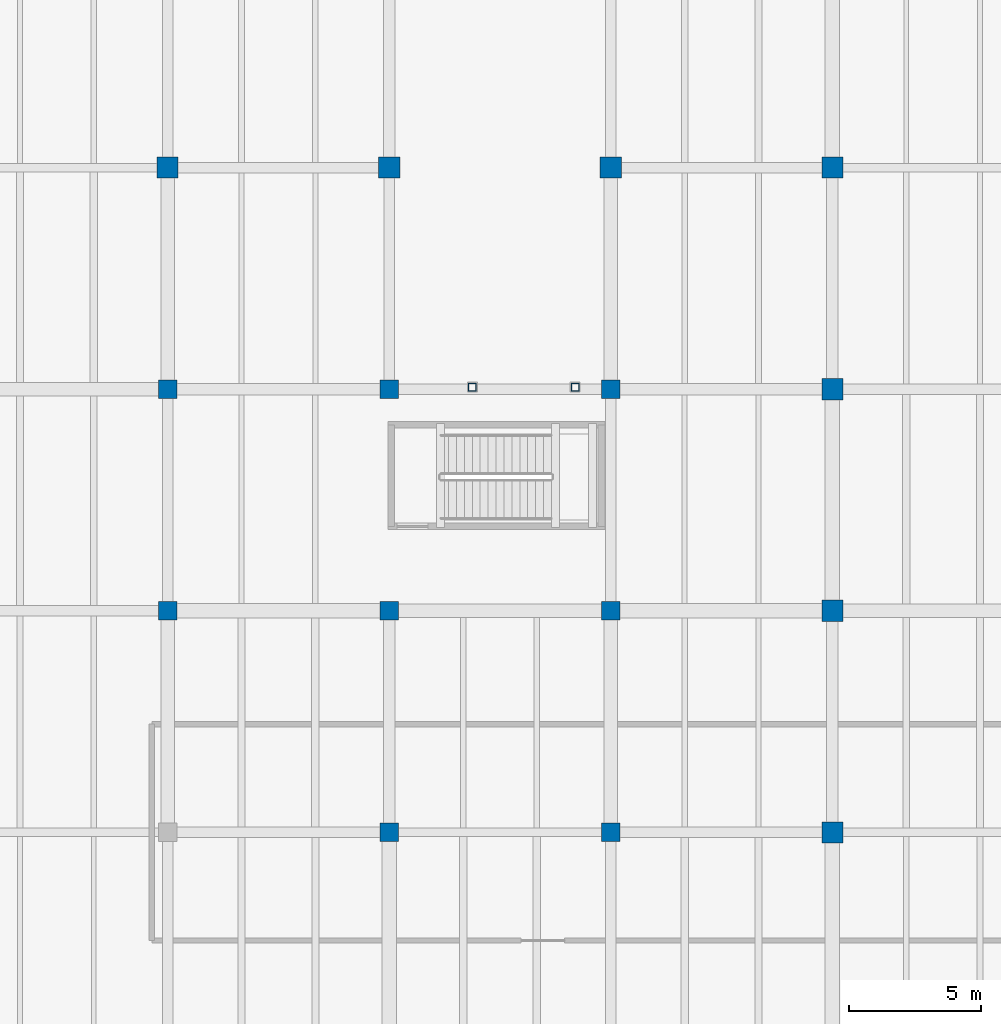
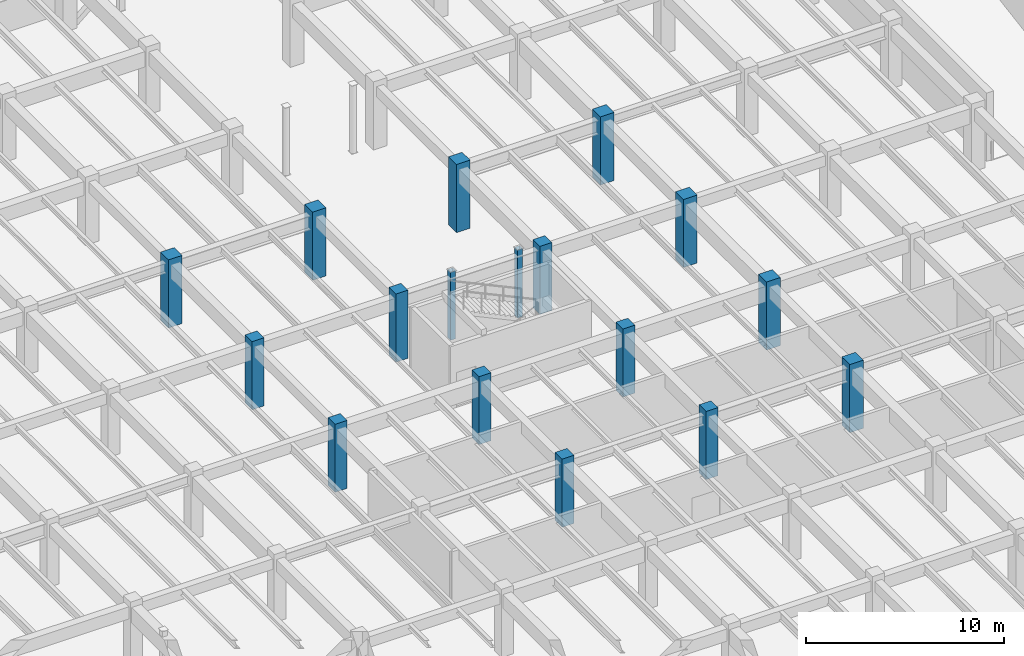
# One storey, part 6 of 63: 17 columns.
"""IFC4 building model written with IfcOpenShell, lengths in metres."""

from ifc_helpers import new_model, si_unit, direction, frame, origin, origin_2d, place, context, subcontext, project, spatial, rectangle, hollow_rectangle, extrude, material, material_profile, profile_set, type_object, element, save


model = new_model("IFC4")

# Units and contexts
model_context = context("Model", 3, precision=1e-05, world=origin(), true_north=direction((0.0, 1.0)))
body_context = subcontext(model_context, "Body", "Model", "MODEL_VIEW")
ifc_project = project(units=[si_unit("LENGTHUNIT", "METRE"), si_unit("AREAUNIT", "SQUARE_METRE"), si_unit("VOLUMEUNIT", "CUBIC_METRE"), si_unit("PLANEANGLEUNIT", "RADIAN"), si_unit("MASSUNIT", "GRAM", prefix="KILO")], contexts=[model_context])

# Site, building, storey
site_placement = place(None, origin())
site = spatial("IfcSite", under=ifc_project, at=site_placement, CompositionType="ELEMENT")
building_placement = place(site_placement, origin())
building = spatial("IfcBuilding", under=site, at=building_placement, Name="Cumbredor Promenade Congress Hotel", CompositionType="ELEMENT")
storey_placement = place(building_placement, frame((0.0, 0.0, -4.199951171875)))
storey = spatial("IfcBuildingStorey", under=building, at=storey_placement, Name="B01", CompositionType="ELEMENT", Elevation=-4.199951171875)

# Columns
ifc_material_1 = material(Name="Concrete C40/50", Category="concrete")
ifc_material_profile_1 = material_profile(ifc_material_1, rectangle(XDim=0.699951171875, YDim=0.699951171875, at=origin_2d()), Name="RC 700x700")
ifc_profile_set_1 = profile_set([ifc_material_profile_1], Name="Concrete C40/50")
column_type_1 = type_object("IfcColumnType", Name="COL-RC-700", PredefinedType="COLUMN", material=ifc_profile_set_1)
for number, where, z_axis, x_axis, name in (
    (1, (92.39990234375, 42.0, 0.0), (0.0, 0.0, 1.0), (1.0, 0.0, 0.0), "B01 Structural Column 146"),
    (2, (92.39990234375, 50.39990234375, 0.0), (0.0, 0.0, 1.0), (1.0, 0.0, 0.0), "B01 Structural Column 147"),
    (3, (100.800048828125, 33.60009765625, 0.0), (0.0, 0.0, 1.0), (1.0, 0.0, 0.0), "B01 Structural Column 159"),
    (4, (100.800048828125, 42.0, 0.0), (0.0, 0.0, 1.0), (1.0, 0.0, 0.0), "B01 Structural Column 160"),
    (5, (100.800048828125, 50.39990234375, 0.0), (0.0, 0.0, 1.0), (1.0, 0.0, 0.0), "B01 Structural Column 161"),
    (6, (109.199951171875, 33.60009765625, 0.0), (0.0, 0.0, 1.0), (1.0, 0.0, 0.0), "B01 Structural Column 173"),
    (7, (109.199951171875, 42.0, 0.0), (0.0, 0.0, 1.0), (1.0, 0.0, 0.0), "B01 Structural Column 174"),
    (8, (109.199951171875, 50.39990234375, 0.0), (0.0, 0.0, 1.0), (1.0, 0.0, 0.0), "B01 Structural Column 175"),
):
    element("IfcColumn", number, at=place(storey_placement, frame(where, z_axis=z_axis, x_axis=x_axis)), inside=storey, type_object=column_type_1, Name=name, PredefinedType="COLUMN", context=body_context, shape_type="SweptSolid", body=[
        extrude(rectangle(XDim=0.699951171875, YDim=0.699951171875, at=origin_2d()), origin(), (0.0, 0.0, 1.0), 4.199951171875),
    ])
ifc_material_2 = material(Name="Concrete C50/60", Category="concrete")
ifc_material_profile_2 = material_profile(ifc_material_2, rectangle(XDim=0.800048828125, YDim=0.800048828125, at=origin_2d()), Name="RC 800x800")
ifc_profile_set_2 = profile_set([ifc_material_profile_2], Name="Concrete C50/60")
column_type_2 = type_object("IfcColumnType", Name="COL-RC-800", PredefinedType="COLUMN", material=ifc_profile_set_2)
for number, where, z_axis, x_axis, name in (
    (9, (92.39990234375, 58.800048828125, 0.0), (0.0, 0.0, 1.0), (1.0, 0.0, 0.0), "B01 Structural Column 148"),
    (10, (100.800048828125, 58.800048828125, 0.0), (0.0, 0.0, 1.0), (1.0, 0.0, 0.0), "B01 Structural Column 162"),
    (11, (109.199951171875, 58.800048828125, 0.0), (0.0, 0.0, 1.0), (1.0, 0.0, 0.0), "B01 Structural Column 176"),
    (12, (117.60009765625, 33.60009765625, 0.0), (0.0, 0.0, 1.0), (1.0, 0.0, 0.0), "B01 Structural Column 187"),
    (13, (117.60009765625, 42.0, 0.0), (0.0, 0.0, 1.0), (1.0, 0.0, 0.0), "B01 Structural Column 188"),
    (14, (117.60009765625, 50.39990234375, 0.0), (0.0, 0.0, 1.0), (1.0, 0.0, 0.0), "B01 Structural Column 189"),
    (15, (117.60009765625, 58.800048828125, 0.0), (0.0, 0.0, 1.0), (1.0, 0.0, 0.0), "B01 Structural Column 190"),
):
    element("IfcColumn", number, at=place(storey_placement, frame(where, z_axis=z_axis, x_axis=x_axis)), inside=storey, type_object=column_type_2, Name=name, PredefinedType="COLUMN", context=body_context, shape_type="SweptSolid", body=[
        extrude(rectangle(XDim=0.800048828125, YDim=0.800048828125, at=origin_2d()), origin(), (0.0, 0.0, 1.0), 4.199951171875),
    ])
ifc_material_3 = material(Name="Steel ASTM A500 Grade C", Category="steel")
ifc_material_profile_3 = material_profile(ifc_material_3, hollow_rectangle(XDim=0.300048828125, YDim=0.300048828125, WallThickness=0.01611328125, at=origin_2d()), Name="HSS 300x300x16")
ifc_profile_set_3 = profile_set([ifc_material_profile_3], Name="Steel ASTM A500 Grade C")
column_type_3 = type_object("IfcColumnType", Name="COL-STL-HSS300", PredefinedType="COLUMN", material=ifc_profile_set_3)
for number, where, z_axis, x_axis, name in (
    (16, (103.949951171875, 50.47998046875, 0.0), (0.0, 0.0, 1.0), (1.0, 0.0, 0.0), "Central Reflecting-Pool Promenade Bridge B01 Substructure Pier 1"),
    (17, (107.85009765625, 50.47998046875, 0.0), (0.0, 0.0, 1.0), (1.0, 0.0, 0.0), "Central Reflecting-Pool Promenade Bridge B01 Substructure Pier 2"),
):
    element("IfcColumn", number, at=place(storey_placement, frame(where, z_axis=z_axis, x_axis=x_axis)), inside=storey, type_object=column_type_3, Name=name, PredefinedType="COLUMN", context=body_context, shape_type="SweptSolid", body=[
        extrude(hollow_rectangle(XDim=0.300048828125, YDim=0.300048828125, WallThickness=0.01611328125, at=origin_2d()), origin(), (0.0, 0.0, 1.0), 4.199951171875),
    ])

save(model, "model.ifc")
